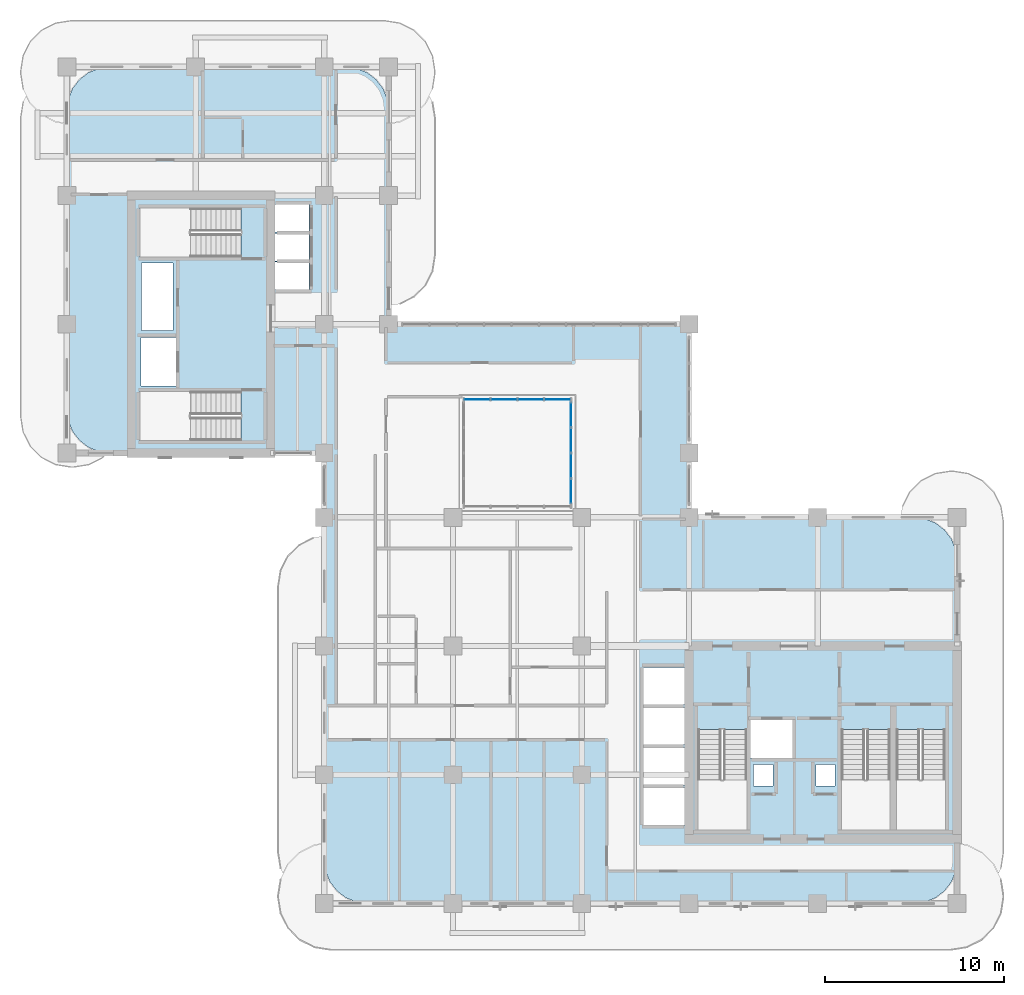
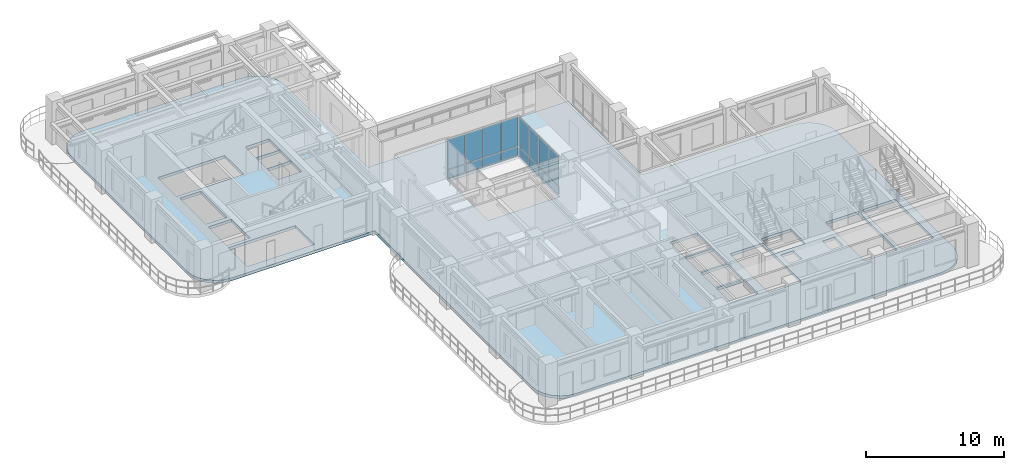
# One storey, part 8 of 21: 16 plates, 1 slab, 2 elements without a shape of their own.
"""IFC4 building model written with IfcOpenShell, lengths in metres."""

from ifc_helpers import new_model, si_unit, derived_unit, direction, frame, origin, origin_2d, place, context, subcontext, project, spatial, polyline, rectangle, outline, extrude, source, transform, mapped, material, layer, layer_set, type_object, element, aggregate, save


model = new_model("IFC4")

# Units and contexts
model_context = context("Model", 3, precision=1e-05, world=origin(), true_north=direction((0.0, 1.0)))
body_context = subcontext(model_context, "Body", "Model", "MODEL_VIEW")
ifc_project = project(units=[si_unit("LENGTHUNIT", "METRE"), si_unit("AREAUNIT", "SQUARE_METRE"), si_unit("VOLUMEUNIT", "CUBIC_METRE"), si_unit("PLANEANGLEUNIT", "RADIAN"), si_unit("MASSUNIT", "GRAM", prefix="KILO"), si_unit("THERMODYNAMICTEMPERATUREUNIT", "KELVIN"), si_unit("POWERUNIT", "WATT"), derived_unit("THERMALTRANSMITTANCEUNIT", [(si_unit("POWERUNIT", "WATT"), 1), (si_unit("AREAUNIT", "SQUARE_METRE"), -1), (si_unit("THERMODYNAMICTEMPERATUREUNIT", "KELVIN"), -1)])], contexts=[model_context])

# Site, building, storey
site_placement = place(None, origin())
site = spatial("IfcSite", under=ifc_project, at=site_placement, CompositionType="ELEMENT")
building_placement = place(site_placement, origin())
building = spatial("IfcBuilding", under=site, at=building_placement, Name="Zahravan Archway Hotel and Residences", CompositionType="ELEMENT")
storey_placement = place(building_placement, frame((0.0, 0.0, 169.550048828125)))
storey = spatial("IfcBuildingStorey", under=building, at=storey_placement, Name="L42", CompositionType="ELEMENT", Elevation=169.550048828125)

# Slab
ifc_material_1 = material(Name="Concrete C45/55", Category="concrete")
ifc_layer_1 = layer(ifc_material_1, 0.25, Name="Concrete C45/55", Category="concrete")
ifc_layer_set_1 = layer_set([ifc_layer_1], Name="Concrete C45/55")
slab_type = type_object("IfcSlabType", Name="SLB-FLR-250", PredefinedType="FLOOR", material=ifc_layer_set_1)
slab_placement = place(storey_placement, frame((0.0, 0.0, -0.25)))
element("IfcSlab", 1, at=slab_placement, inside=storey, type_object=slab_type, Name="L42 Floor Slab LB", PredefinedType="FLOOR", context=body_context, shape_type="SweptSolid", body=[
    extrude(outline(polyline([(34.800048828125, 21.60009765625), (34.800048828125, 32.39990234375), (18.0, 32.39990234375), (18.0, 44.39990234375), (17.918212890625, 45.021240234375), (17.678466796875, 45.60009765625), (17.297119140625, 46.09716796875), (16.800048828125, 46.478515625), (16.22119140625, 46.71826171875), (15.60009765625, 46.800048828125), (2.39990234375, 46.800048828125), (1.77880859375, 46.71826171875), (1.199951171875, 46.478515625), (0.702880859375, 46.09716796875), (0.321533203125, 45.60009765625), (0.081787109375, 45.021240234375), (0.0, 44.39990234375), (0.0, 27.60009765625), (0.081787109375, 26.978759765625), (0.321533203125, 26.39990234375), (0.702880859375, 25.90283203125), (1.199951171875, 25.521484375), (1.77880859375, 25.28173828125), (2.39990234375, 25.199951171875), (14.39990234375, 25.199951171875), (14.39990234375, 19.199951171875), (14.39990234375, 19.10009765625), (14.39990234375, 2.39990234375), (14.481689453125, 1.77880859375), (14.721435546875, 1.199951171875), (15.102783203125, 0.702880859375), (15.60009765625, 0.321533203125), (16.1787109375, 0.081787109375), (16.800048828125, 0.0), (47.39990234375, 0.0), (48.021240234375, 0.081787109375), (48.60009765625, 0.321533203125), (49.09716796875, 0.702880859375), (49.478515625, 1.199951171875), (49.71826171875, 1.77880859375), (49.800048828125, 2.39990234375), (49.800048828125, 19.199951171875), (49.71826171875, 19.8212890625), (49.478515625, 20.39990234375), (49.09716796875, 20.897216796875), (48.60009765625, 21.278564453125), (48.021240234375, 21.518310546875), (47.39990234375, 21.60009765625), (34.800048828125, 21.60009765625)]), holes=[polyline([(35.300048828125, 9.72998046875), (35.300048828125, 4.10009765625), (38.0400390625, 4.10009765625), (38.0400390625, 9.72998046875), (35.300048828125, 9.72998046875)]), polyline([(43.320068359375, 9.72998046875), (43.320068359375, 4.10009765625), (46.06005859375, 4.10009765625), (46.06005859375, 9.72998046875), (43.320068359375, 9.72998046875)]), polyline([(46.39990234375, 9.72998046875), (46.39990234375, 4.10009765625), (49.139892578125, 4.10009765625), (49.139892578125, 9.72998046875), (46.39990234375, 9.72998046875)]), polyline([(9.72998046875, 28.639892578125), (4.10009765625, 28.639892578125), (4.10009765625, 25.89990234375), (9.72998046875, 25.89990234375), (9.72998046875, 28.639892578125)]), polyline([(9.72998046875, 38.89990234375), (4.10009765625, 38.89990234375), (4.10009765625, 36.159912109375), (9.72998046875, 36.159912109375), (9.72998046875, 38.89990234375)]), polyline([(38.179931640625, 8.14990234375), (40.699951171875, 8.14990234375), (40.699951171875, 10.25), (38.179931640625, 10.25), (38.179931640625, 8.14990234375)]), polyline([(4.14990234375, 28.949951171875), (6.10009765625, 28.949951171875), (6.10009765625, 31.64990234375), (4.14990234375, 31.64990234375), (4.14990234375, 28.949951171875)]), polyline([(11.550048828125, 34.35009765625), (13.550048828125, 34.35009765625), (13.550048828125, 35.889892578125), (11.550048828125, 35.889892578125), (11.550048828125, 34.35009765625)]), polyline([(11.550048828125, 35.949951171875), (13.550048828125, 35.949951171875), (13.550048828125, 37.489990234375), (11.550048828125, 37.489990234375), (11.550048828125, 35.949951171875)]), polyline([(11.550048828125, 37.550048828125), (13.550048828125, 37.550048828125), (13.550048828125, 39.090087890625), (11.550048828125, 39.090087890625), (11.550048828125, 37.550048828125)]), polyline([(32.25, 4.39990234375), (34.550048828125, 4.39990234375), (34.550048828125, 6.47998046875), (32.25, 6.47998046875), (32.25, 4.39990234375)]), polyline([(32.25, 6.639892578125), (34.550048828125, 6.639892578125), (34.550048828125, 8.719970703125), (32.25, 8.719970703125), (32.25, 6.639892578125)]), polyline([(32.25, 8.8798828125), (34.550048828125, 8.8798828125), (34.550048828125, 10.9599609375), (32.25, 10.9599609375), (32.25, 8.8798828125)]), polyline([(32.25, 11.1201171875), (34.550048828125, 11.1201171875), (34.550048828125, 13.199951171875), (32.25, 13.199951171875), (32.25, 11.1201171875)]), polyline([(22.199951171875, 22.199951171875), (28.199951171875, 22.199951171875), (28.199951171875, 28.199951171875), (22.199951171875, 28.199951171875), (22.199951171875, 22.199951171875)]), polyline([(38.419921875, 6.56005859375), (39.5, 6.56005859375), (39.5, 7.780029296875), (38.419921875, 7.780029296875), (38.419921875, 6.56005859375)]), polyline([(41.89990234375, 6.56005859375), (42.9599609375, 6.56005859375), (42.9599609375, 7.780029296875), (41.89990234375, 7.780029296875), (41.89990234375, 6.56005859375)]), polyline([(4.179931640625, 32.050048828125), (5.93994140625, 32.050048828125), (5.93994140625, 35.840087890625), (4.179931640625, 35.840087890625), (4.179931640625, 32.050048828125)])]), origin(), (0.0, 0.0, 1.0), 0.25),
])

# Curtain wall, plates
ifc_material_2 = material(Name="Bronze-Anodized Unitised Aluminium & Low-E Glass", Category="aluminium")
ifc_layer_2 = layer(ifc_material_2, 0.179931640625, Name="Bronze-Anodized Unitised Aluminium & Low-E Glass", Category="aluminium")
ifc_layer_set_2 = layer_set([ifc_layer_2], Name="Bronze-Anodized Unitised Aluminium & Low-E Glass")
curtain_wall_type = type_object("IfcCurtainWallType", Name="CW-ATR-GLAZ", PredefinedType="NOTDEFINED", material=ifc_layer_set_2)
curtain_wall_1_placement = place(storey_placement, origin())
curtain_wall_1 = element("IfcCurtainWall", 2, at=curtain_wall_1_placement, inside=storey, type_object=curtain_wall_type, Name="L42 Curtain Wall CW-ATR-L42-N-1", PredefinedType="NOTDEFINED")
ifc_material_3 = material(Name="Insulated Terracotta Spandrel Panel", Category="masonry")
ifc_layer_3 = layer(ifc_material_3, 0.0400390625, Name="Insulated Terracotta Spandrel Panel", Category="masonry")
ifc_layer_set_3 = layer_set([ifc_layer_3], Name="Insulated Terracotta Spandrel Panel")
plate_type_1 = type_object("IfcPlateType", Name="CWP-SPN-40", PredefinedType="SHEET", material=ifc_layer_set_3)
shared_shape_1 = source(origin(), body_context, "Body", "SweptSolid", [
    extrude(rectangle(XDim=1.419921875, YDim=0.0400390625, at=origin_2d()), origin(), (0.0, 0.0, 1.0), 0.7099609375),
])
plate_1_placement = place(storey_placement, frame((22.949951171875, 28.199951171875, 0.099853515625), z_axis=(0.0, 0.0, 1.0), x_axis=(1.0, 0.0, 0.0)))
plate_1 = element("IfcPlate", 3, at=plate_1_placement, type_object=plate_type_1, Name="CW-ATR-L42-N-1 Spandrel Panel 0", PredefinedType="SHEET", context=body_context, shape_type="MappedRepresentation", body=[
    mapped(shared_shape_1, transform((0.0, 0.0, 0.0), scale=1.0)),
])
plate_2_placement = place(storey_placement, frame((24.449951171875, 28.199951171875, 0.099853515625), z_axis=(0.0, 0.0, 1.0), x_axis=(1.0, 0.0, 0.0)))
plate_2 = element("IfcPlate", 4, at=plate_2_placement, type_object=plate_type_1, Name="CW-ATR-L42-N-1 Spandrel Panel 1", PredefinedType="SHEET", context=body_context, shape_type="MappedRepresentation", body=[
    mapped(shared_shape_1, transform((0.0, 0.0, 0.0), scale=1.0)),
])
plate_3_placement = place(storey_placement, frame((25.949951171875, 28.199951171875, 0.099853515625), z_axis=(0.0, 0.0, 1.0), x_axis=(1.0, 0.0, 0.0)))
plate_3 = element("IfcPlate", 5, at=plate_3_placement, type_object=plate_type_1, Name="CW-ATR-L42-N-1 Spandrel Panel 2", PredefinedType="SHEET", context=body_context, shape_type="MappedRepresentation", body=[
    mapped(shared_shape_1, transform((0.0, 0.0, 0.0), scale=1.0)),
])
plate_4_placement = place(storey_placement, frame((27.449951171875, 28.199951171875, 0.099853515625), z_axis=(0.0, 0.0, 1.0), x_axis=(1.0, 0.0, 0.0)))
plate_4 = element("IfcPlate", 6, at=plate_4_placement, type_object=plate_type_1, Name="CW-ATR-L42-N-1 Spandrel Panel 3", PredefinedType="SHEET", context=body_context, shape_type="MappedRepresentation", body=[
    mapped(shared_shape_1, transform((0.0, 0.0, 0.0), scale=1.0)),
])

curtain_wall_2_placement = place(storey_placement, origin())
curtain_wall_2 = element("IfcCurtainWall", 7, at=curtain_wall_2_placement, inside=storey, type_object=curtain_wall_type, Name="L42 Curtain Wall CW-ATR-L42-E-1", PredefinedType="NOTDEFINED")
shared_shape_2 = source(origin(), body_context, "Body", "SweptSolid", [
    extrude(rectangle(XDim=1.344970703125, YDim=0.0400390625, at=origin_2d()), origin(), (0.0, 0.0, 1.0), 0.7099609375),
])
plate_5_placement = place(storey_placement, frame((28.199951171875, 23.0625, 0.099853515625), z_axis=(0.0, 0.0, 1.0), x_axis=(0.0, 1.0, 0.0)))
plate_5 = element("IfcPlate", 8, at=plate_5_placement, type_object=plate_type_1, Name="CW-ATR-L42-E-1 Spandrel Panel 0", PredefinedType="SHEET", context=body_context, shape_type="MappedRepresentation", body=[
    mapped(shared_shape_2, transform((0.0, 0.0, 0.0), scale=1.0)),
])
plate_6_placement = place(storey_placement, frame((28.199951171875, 24.487548828125, 0.099853515625), z_axis=(0.0, 0.0, 1.0), x_axis=(0.0, 1.0, 0.0)))
plate_6 = element("IfcPlate", 9, at=plate_6_placement, type_object=plate_type_1, Name="CW-ATR-L42-E-1 Spandrel Panel 1", PredefinedType="SHEET", context=body_context, shape_type="MappedRepresentation", body=[
    mapped(shared_shape_2, transform((0.0, 0.0, 0.0), scale=1.0)),
])
plate_7_placement = place(storey_placement, frame((28.199951171875, 25.91259765625, 0.099853515625), z_axis=(0.0, 0.0, 1.0), x_axis=(0.0, 1.0, 0.0)))
plate_7 = element("IfcPlate", 10, at=plate_7_placement, type_object=plate_type_1, Name="CW-ATR-L42-E-1 Spandrel Panel 2", PredefinedType="SHEET", context=body_context, shape_type="MappedRepresentation", body=[
    mapped(shared_shape_2, transform((0.0, 0.0, 0.0), scale=1.0)),
])
plate_8_placement = place(storey_placement, frame((28.199951171875, 27.33740234375, 0.099853515625), z_axis=(0.0, 0.0, 1.0), x_axis=(0.0, 1.0, 0.0)))
plate_8 = element("IfcPlate", 11, at=plate_8_placement, type_object=plate_type_1, Name="CW-ATR-L42-E-1 Spandrel Panel 3", PredefinedType="SHEET", context=body_context, shape_type="MappedRepresentation", body=[
    mapped(shared_shape_2, transform((0.0, 0.0, 0.0), scale=1.0)),
])

# Plate
ifc_material_4 = material(Name="Double-Silver Low-E Insulated Vision Glass", Category="glass")
ifc_layer_4 = layer(ifc_material_4, 0.028076171875, Name="Double-Silver Low-E Insulated Vision Glass", Category="glass")
ifc_layer_set_4 = layer_set([ifc_layer_4], Name="Double-Silver Low-E Insulated Vision Glass")
plate_type_2 = type_object("IfcPlateType", Name="CWP-GLZ-28", PredefinedType="CURTAIN_PANEL", material=ifc_layer_set_4)
shared_shape_3 = source(origin(), body_context, "Body", "SweptSolid", [
    extrude(rectangle(XDim=1.419921875, YDim=0.028076171875, at=origin_2d()), origin(), (0.0, 0.0, 1.0), 2.610107421875),
])
plate_9_placement = place(storey_placement, frame((22.949951171875, 28.199951171875, 0.89013671875), z_axis=(0.0, 0.0, 1.0), x_axis=(1.0, 0.0, 0.0)))
plate_9 = element("IfcPlate", 12, at=plate_9_placement, type_object=plate_type_2, Name="CW-ATR-L42-N-1 Low-E Vision Panel 0", PredefinedType="CURTAIN_PANEL", context=body_context, shape_type="MappedRepresentation", body=[
    mapped(shared_shape_3, transform((0.0, 0.0, 0.0), scale=1.0)),
])

plate_10_placement = place(storey_placement, frame((24.449951171875, 28.199951171875, 0.89013671875), z_axis=(0.0, 0.0, 1.0), x_axis=(1.0, 0.0, 0.0)))
plate_10 = element("IfcPlate", 13, at=plate_10_placement, type_object=plate_type_2, Name="CW-ATR-L42-N-1 Low-E Vision Panel 1", PredefinedType="CURTAIN_PANEL", context=body_context, shape_type="MappedRepresentation", body=[
    mapped(shared_shape_3, transform((0.0, 0.0, 0.0), scale=1.0)),
])

plate_11_placement = place(storey_placement, frame((25.949951171875, 28.199951171875, 0.89013671875), z_axis=(0.0, 0.0, 1.0), x_axis=(1.0, 0.0, 0.0)))
plate_11 = element("IfcPlate", 14, at=plate_11_placement, type_object=plate_type_2, Name="CW-ATR-L42-N-1 Low-E Vision Panel 2", PredefinedType="CURTAIN_PANEL", context=body_context, shape_type="MappedRepresentation", body=[
    mapped(shared_shape_3, transform((0.0, 0.0, 0.0), scale=1.0)),
])

plate_12_placement = place(storey_placement, frame((27.449951171875, 28.199951171875, 0.89013671875), z_axis=(0.0, 0.0, 1.0), x_axis=(1.0, 0.0, 0.0)))
plate_12 = element("IfcPlate", 15, at=plate_12_placement, type_object=plate_type_2, Name="CW-ATR-L42-N-1 Low-E Vision Panel 3", PredefinedType="CURTAIN_PANEL", context=body_context, shape_type="MappedRepresentation", body=[
    mapped(shared_shape_3, transform((0.0, 0.0, 0.0), scale=1.0)),
])

aggregate(curtain_wall_1, [plate_1, plate_9, plate_2, plate_10, plate_3, plate_11, plate_4, plate_12])

shared_shape_4 = source(origin(), body_context, "Body", "SweptSolid", [
    extrude(rectangle(XDim=1.344970703125, YDim=0.028076171875, at=origin_2d()), origin(), (0.0, 0.0, 1.0), 2.610107421875),
])
plate_13_placement = place(storey_placement, frame((28.199951171875, 23.0625, 0.89013671875), z_axis=(0.0, 0.0, 1.0), x_axis=(0.0, 1.0, 0.0)))
plate_13 = element("IfcPlate", 16, at=plate_13_placement, type_object=plate_type_2, Name="CW-ATR-L42-E-1 Low-E Vision Panel 0", PredefinedType="CURTAIN_PANEL", context=body_context, shape_type="MappedRepresentation", body=[
    mapped(shared_shape_4, transform((0.0, 0.0, 0.0), scale=1.0)),
])

plate_14_placement = place(storey_placement, frame((28.199951171875, 24.487548828125, 0.89013671875), z_axis=(0.0, 0.0, 1.0), x_axis=(0.0, 1.0, 0.0)))
plate_14 = element("IfcPlate", 17, at=plate_14_placement, type_object=plate_type_2, Name="CW-ATR-L42-E-1 Low-E Vision Panel 1", PredefinedType="CURTAIN_PANEL", context=body_context, shape_type="MappedRepresentation", body=[
    mapped(shared_shape_4, transform((0.0, 0.0, 0.0), scale=1.0)),
])

plate_15_placement = place(storey_placement, frame((28.199951171875, 25.91259765625, 0.89013671875), z_axis=(0.0, 0.0, 1.0), x_axis=(0.0, 1.0, 0.0)))
plate_15 = element("IfcPlate", 18, at=plate_15_placement, type_object=plate_type_2, Name="CW-ATR-L42-E-1 Low-E Vision Panel 2", PredefinedType="CURTAIN_PANEL", context=body_context, shape_type="MappedRepresentation", body=[
    mapped(shared_shape_4, transform((0.0, 0.0, 0.0), scale=1.0)),
])

plate_16_placement = place(storey_placement, frame((28.199951171875, 27.33740234375, 0.89013671875), z_axis=(0.0, 0.0, 1.0), x_axis=(0.0, 1.0, 0.0)))
plate_16 = element("IfcPlate", 19, at=plate_16_placement, type_object=plate_type_2, Name="CW-ATR-L42-E-1 Low-E Vision Panel 3", PredefinedType="CURTAIN_PANEL", context=body_context, shape_type="MappedRepresentation", body=[
    mapped(shared_shape_4, transform((0.0, 0.0, 0.0), scale=1.0)),
])

aggregate(curtain_wall_2, [plate_5, plate_13, plate_6, plate_14, plate_7, plate_15, plate_8, plate_16])

save(model, "model.ifc")
